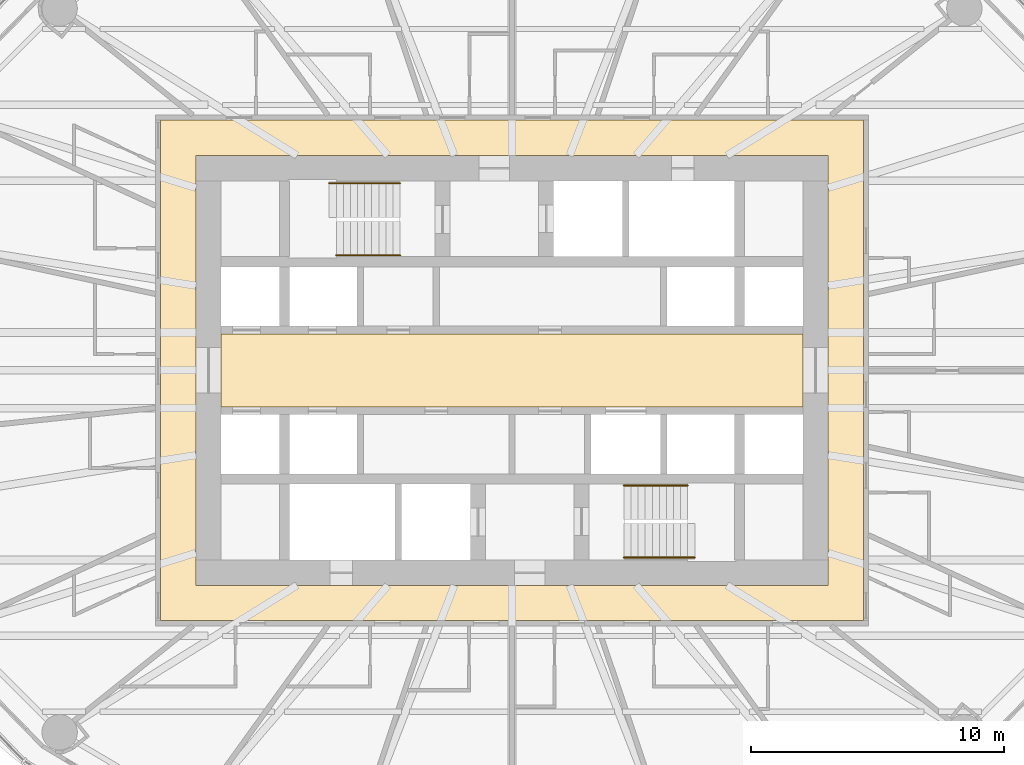
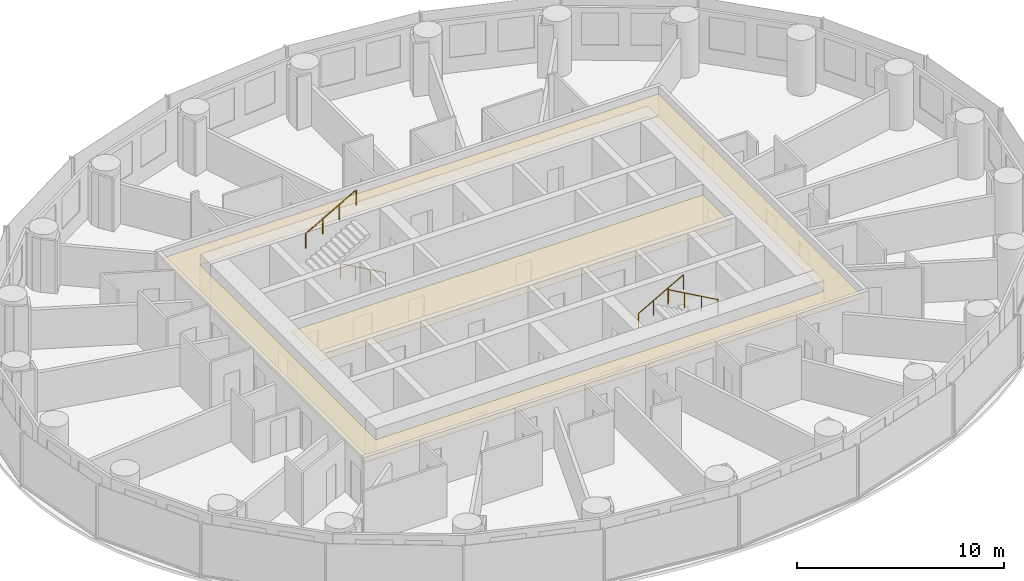
# One storey, part 14 of 14: 4 railings, 2 coverings.
"""IFC4 building model written with IfcOpenShell, lengths in metres."""

import ifcopenshell
import ifcopenshell.guid

model = None  # the IFC model being written
_history = None  # IfcOwnerHistory: only IFC2X3 demands one
_inside = {}  # id of a spatial element -> (the spatial element, [elements in it])
_under = {}  # id of a project, library or spatial element -> (it, [spatial elements below it])
_declared = {}  # id of a project -> (the project, [libraries it declares])
_typed = {}  # id of a type object -> (the type object, [elements of that type])
_made_of = {}  # id of a material, layer set ... -> (it, [elements and type objects made of it])


def new_model(schema):
    """Start an empty IFC model of exactly this schema.

    Asked for "IFC4X3", IfcOpenShell would pick the latest addendum, in which some entities
    have other attributes; the version numbers below select the first issue.
    IFC2X3 requires an IfcOwnerHistory on every rooted entity: one is made here for all.
    """
    global model, _history
    if schema == "IFC4X3":
        model = ifcopenshell.file(schema_version=(4, 3, 0, 0))
    else:
        model = ifcopenshell.file(schema=schema)
    _inside.clear()
    _under.clear()
    _declared.clear()
    _typed.clear()
    _made_of.clear()
    _history = None
    if model.schema == "IFC2X3":
        org = make("IfcOrganization", Name="unknown")
        user = make(
            "IfcPersonAndOrganization",
            ThePerson=make("IfcPerson", FamilyName="unknown"),
            TheOrganization=org,
        )
        app = make(
            "IfcApplication",
            ApplicationDeveloper=org,
            Version="unknown",
            ApplicationFullName="unknown",
            ApplicationIdentifier="unknown",
        )
        _history = make(
            "IfcOwnerHistory",
            OwningUser=user,
            OwningApplication=app,
            ChangeAction="ADDED",
            CreationDate=0,
        )
    return model


def make(cls, **values):
    """One entity of the class cls with the attributes given. An attribute that is None is left unset."""
    return model.create_entity(
        cls, **{name: value for name, value in values.items() if value is not None}
    )


def rooted(cls, **values):
    """An entity with a GlobalId (a new one), such as an element, a storey or a relation."""
    return make(cls, GlobalId=ifcopenshell.guid.new(), OwnerHistory=_history, **values)


def si_unit(unit_type, name, prefix=None):
    """IfcSIUnit, for example si_unit("LENGTHUNIT", "METRE", prefix="MILLI")."""
    return make("IfcSIUnit", UnitType=unit_type, Prefix=prefix, Name=name)


def assignment(units):
    """IfcUnitAssignment: the units of a project."""
    return None if units is None else make("IfcUnitAssignment", Units=units)


def point(xyz):
    """IfcCartesianPoint."""
    return None if xyz is None else make("IfcCartesianPoint", Coordinates=xyz)


def direction(xyz):
    """IfcDirection."""
    return None if xyz is None else make("IfcDirection", DirectionRatios=xyz)


def frame(location, z_axis=None, x_axis=None):
    """IfcAxis2Placement3D, a coordinate frame: its origin and axes. An axis left out is left unset."""
    return make(
        "IfcAxis2Placement3D",
        Location=point(location),
        Axis=direction(z_axis),
        RefDirection=direction(x_axis),
    )


def frame_2d(location, x_axis=None):
    """IfcAxis2Placement2D, a coordinate frame in the plane: its origin and x axis."""
    return make(
        "IfcAxis2Placement2D", Location=point(location), RefDirection=direction(x_axis)
    )


def origin():
    """The frame at (0, 0, 0) with its axes left unset."""
    return frame((0.0, 0.0, 0.0))


def origin_2d():
    """The frame at (0, 0) in the plane with its x axis left unset."""
    return frame_2d((0.0, 0.0))


def place(relative_to, where):
    """IfcLocalPlacement: puts the frame where relative to a parent placement (None: the world)."""
    return make(
        "IfcLocalPlacement", PlacementRelTo=relative_to, RelativePlacement=where
    )


def context(
    kind, dimensions, precision=None, world=None, true_north=None, identifier=None
):
    """IfcGeometricRepresentationContext, for example the 3D "Model" context."""
    return make(
        "IfcGeometricRepresentationContext",
        ContextIdentifier=identifier,
        ContextType=kind,
        CoordinateSpaceDimension=dimensions,
        Precision=precision,
        WorldCoordinateSystem=world,
        TrueNorth=true_north,
    )


def subcontext(parent, identifier, kind, view, scale=None):
    """IfcGeometricRepresentationSubContext, for example "Body" below "Model"."""
    return make(
        "IfcGeometricRepresentationSubContext",
        ContextIdentifier=identifier,
        ContextType=kind,
        ParentContext=parent,
        TargetScale=scale,
        TargetView=view,
    )


def project(units=None, contexts=None):
    """IfcProject with its units and contexts."""
    return rooted(
        "IfcProject",
        Name="project",
        RepresentationContexts=contexts,
        UnitsInContext=assignment(units),
    )


def spatial(cls, under=None, at=None, **own):
    """A site, building, storey or space (cls), placed at a placement, below another one or the project."""
    s = rooted(cls, ObjectPlacement=at, **own)
    if under is not None:
        _under.setdefault(under.id(), (under, []))[1].append(s)
    return s


def polyline(points):
    """IfcPolyline through the points."""
    return make("IfcPolyline", Points=[point(p) for p in points])


def profile(cls, at=None, kind="AREA", **sizes):
    """A parametric profile (cls). Its sizes go by their IFC names, for example OverallWidth=200.0."""
    return make(cls, ProfileType=kind, Position=at, **sizes)


def circle(**sizes):
    """IfcCircleProfileDef."""
    return profile("IfcCircleProfileDef", **sizes)


def outline(outer, holes=None, kind="AREA"):
    """IfcArbitraryClosedProfileDef: a profile drawn as a closed curve; with holes, ...WithVoids."""
    if holes is None:
        return make("IfcArbitraryClosedProfileDef", ProfileType=kind, OuterCurve=outer)
    return make(
        "IfcArbitraryProfileDefWithVoids",
        ProfileType=kind,
        OuterCurve=outer,
        InnerCurves=holes,
    )


def extrude(swept, where, along, depth):
    """IfcExtrudedAreaSolid: the profile swept, set in the frame where, extruded along a direction by depth."""
    return make(
        "IfcExtrudedAreaSolid",
        SweptArea=swept,
        Position=where,
        ExtrudedDirection=direction(along),
        Depth=depth,
    )


def shape(context_of_items, identifier, shape_type, items):
    """IfcShapeRepresentation: the items that make up one representation, for example the "Body"."""
    return make(
        "IfcShapeRepresentation",
        ContextOfItems=context_of_items,
        RepresentationIdentifier=identifier,
        RepresentationType=shape_type,
        Items=items,
    )


def material(Name=None, Category=None):
    """IfcMaterial."""
    return make("IfcMaterial", Name=Name, Category=Category)


def layer(
    of_material, thickness, ventilated=None, Name=None, Category=None, Priority=None
):
    """IfcMaterialLayer: one layer of a wall or slab, of a material (None: an air gap)."""
    return make(
        "IfcMaterialLayer",
        Material=of_material,
        LayerThickness=thickness,
        IsVentilated=ventilated,
        Name=Name,
        Category=Category,
        Priority=Priority,
    )


def layer_set(layers, Name=None):
    """IfcMaterialLayerSet."""
    return make("IfcMaterialLayerSet", MaterialLayers=layers, LayerSetName=Name)


def made_of(thing, what):
    """Note that an element or type object is made of a material, layer set ...; save() writes the relation."""
    if what is not None:
        _made_of.setdefault(what.id(), (what, []))[1].append(thing)
    return thing


def type_object(cls, material=None, **own):
    """A type object (cls), such as IfcWallType, which elements share."""
    return made_of(rooted(cls, **own), material)


def element(
    cls,
    number,
    at=None,
    inside=None,
    cuts=None,
    type_object=None,
    material=None,
    context=None,
    identifier="Body",
    shape_type=None,
    held_by="IfcProductDefinitionShape",
    body=None,
    shapes=None,
    **own,
):
    """One element of the class cls, such as IfcWall. Its Tag is "e" and its number.

    at: its placement. inside: the storey or other place that contains it. cuts: it is an
    opening in that element (IfcRelVoidsElement). A single representation is given by context,
    identifier, shape_type and body (its items); several are given by shapes. held_by: the class
    of the entity that holds the representations. save() writes the other relations.
    """
    e = rooted(cls, Tag="e%d" % number, ObjectPlacement=at, **own)
    if body is not None:
        shapes = [shape(context, identifier, shape_type, body)]
    if shapes is not None:
        e.Representation = make(held_by, Representations=shapes)
    if inside is not None:
        _inside.setdefault(inside.id(), (inside, []))[1].append(e)
    if cuts is not None:
        rooted(
            "IfcRelVoidsElement", RelatingBuildingElement=cuts, RelatedOpeningElement=e
        )
    if type_object is not None:
        _typed.setdefault(type_object.id(), (type_object, []))[1].append(e)
    return made_of(e, material)


def aggregate(whole, parts):
    """IfcRelAggregates: a whole, such as a stair, and the parts it consists of."""
    return rooted("IfcRelAggregates", RelatingObject=whole, RelatedObjects=parts)


def save(model, path):
    """Write the relations noted so far, then the file.

    IfcRelAggregates (storeys below a building ...), IfcRelContainedInSpatialStructure (elements
    in a storey), IfcRelDefinesByType, IfcRelAssociatesMaterial and IfcRelDeclares: one each for
    every whole, place, type object, material and project.
    """
    for whole, parts in _under.values():
        aggregate(whole, parts)
    for where, things in _inside.values():
        rooted(
            "IfcRelContainedInSpatialStructure",
            RelatedElements=things,
            RelatingStructure=where,
        )
    for kind, things in _typed.values():
        rooted("IfcRelDefinesByType", RelatedObjects=things, RelatingType=kind)
    for what, things in _made_of.values():
        rooted("IfcRelAssociatesMaterial", RelatedObjects=things, RelatingMaterial=what)
    for by, libraries in _declared.values():
        rooted("IfcRelDeclares", RelatingContext=by, RelatedDefinitions=libraries)
    model.write(path)


model = new_model("IFC4")

# Units and contexts
model_context = context("Model", 3, precision=1e-05, world=origin(), true_north=direction((0.0, 1.0)))
body_context = subcontext(model_context, "Body", "Model", "MODEL_VIEW")
ifc_project = project(units=[si_unit("LENGTHUNIT", "METRE"), si_unit("AREAUNIT", "SQUARE_METRE"), si_unit("VOLUMEUNIT", "CUBIC_METRE"), si_unit("PLANEANGLEUNIT", "RADIAN"), si_unit("MASSUNIT", "GRAM", prefix="KILO")], contexts=[model_context])

# Site, building, storey
site_placement = place(None, origin())
site = spatial("IfcSite", under=ifc_project, at=site_placement, CompositionType="ELEMENT")
building_placement = place(site_placement, origin())
building = spatial("IfcBuilding", under=site, at=building_placement, Name="Hankou Lantern Tower", CompositionType="ELEMENT")
storey_placement = place(building_placement, frame((0.0, 0.0, 63.89990234375)))
storey = spatial("IfcBuildingStorey", under=building, at=storey_placement, Name="L15", CompositionType="ELEMENT", Elevation=63.89990234375)

# Coverings
ifc_material_1 = material(Name="Black painted aluminium linear ceiling panels", Category="aluminium")
ifc_layer_1 = layer(ifc_material_1, 0.02490234375)
ifc_layer_set_1 = layer_set([ifc_layer_1], Name="Black painted aluminium linear ceiling panels")
covering_type_1 = type_object("IfcCoveringType", Name="CL1 CORRIDOR CEILING 25", PredefinedType="CEILING", material=ifc_layer_set_1)
covering_1_placement = place(storey_placement, frame((0.0, 0.0, 2.64501953125)))
element("IfcCovering", 1, at=covering_1_placement, inside=storey, type_object=covering_type_1, Name="Corridor ceiling L15", PredefinedType="CEILING", context=body_context, shape_type="SweptSolid", body=[
    extrude(outline(polyline([(-13.89990234375, -9.89990234375), (13.89990234375, -9.89990234375), (13.89990234375, 9.89990234375), (-13.89990234375, 9.89990234375), (-13.89990234375, -9.89990234375)]), holes=[polyline([(-12.5, 8.5), (12.5, 8.5), (12.5, -8.5), (-12.5, -8.5), (-12.5, 8.5)])]), origin(), (0.0, 0.0, 1.0), 0.025146484375),
])
ifc_material_2 = material(Name="Perforated black aluminium acoustic tray ceiling", Category="aluminium")
ifc_layer_2 = layer(ifc_material_2, 0.014892578125)
ifc_layer_set_2 = layer_set([ifc_layer_2], Name="Perforated black aluminium acoustic tray ceiling")
covering_type_2 = type_object("IfcCoveringType", Name="CL2 LIFT LOBBY CEILING 15", PredefinedType="CEILING", material=ifc_layer_set_2)
covering_2_placement = place(storey_placement, frame((0.0, 0.0, 2.655029296875)))
element("IfcCovering", 2, at=covering_2_placement, inside=storey, type_object=covering_type_2, Name="Lift lobby ceiling L15", PredefinedType="CEILING", context=body_context, shape_type="SweptSolid", body=[
    extrude(outline(polyline([(-11.5, -1.449951171875), (11.5, -1.449951171875), (11.5, 1.449951171875), (-11.5, 1.449951171875), (-11.5, -1.449951171875)])), origin(), (0.0, 0.0, 1.0), 0.01513671875),
])

# Railings
ifc_material_3 = material(Name="Steel handrail", Category="steel")
railing_type = type_object("IfcRailingType", Name="HR1 STAIR HANDRAIL", PredefinedType="HANDRAIL", material=ifc_material_3)
railing_1_placement = place(storey_placement, frame((-4.429931640625, 4.550048828125, 0.900146484375)))
element("IfcRailing", 3, at=railing_1_placement, inside=storey, type_object=railing_type, Name="Handrail stair STA L15 flight 1", PredefinedType="HANDRAIL", context=body_context, shape_type="SweptSolid", body=[
    extrude(circle(Radius=0.02392578125, at=origin_2d()), frame((0.0, 0.0, 0.8759765625), z_axis=(-0.872048945198, 0.0, 0.489418672692), x_axis=(0.0, -1.0, 0.0)), (0.0, 0.0, 1.0), 2.8896484375),
    extrude(circle(Radius=0.02099609375, at=origin_2d()), origin(), (0.0, 0.0, 1.0), 0.851806640625),
    extrude(circle(Radius=0.02099609375, at=origin_2d()), frame((-0.840087890625, 0.0, 0.471435546875)), (0.0, 0.0, 1.0), 0.851806640625),
    extrude(circle(Radius=0.02099609375, at=origin_2d()), frame((-1.679931640625, 0.0, 0.94287109375)), (0.0, 0.0, 1.0), 0.851806640625),
    extrude(circle(Radius=0.02099609375, at=origin_2d()), frame((-2.52001953125, 0.0, 1.414306640625)), (0.0, 0.0, 1.0), 0.851806640625),
])
railing_2_placement = place(storey_placement, frame((-7.22998046875, 7.39990234375, 2.471435546875)))
element("IfcRailing", 4, at=railing_2_placement, inside=storey, type_object=railing_type, Name="Handrail stair STA L15 flight 2", PredefinedType="HANDRAIL", context=body_context, shape_type="SweptSolid", body=[
    extrude(circle(Radius=0.02392578125, at=origin_2d()), frame((0.0, 0.0, 0.8759765625), z_axis=(0.872040151574, 0.0, 0.489434340891), x_axis=(0.0, 1.0, 0.0)), (0.0, 0.0, 1.0), 3.2109375),
    extrude(circle(Radius=0.02099609375, at=origin_2d()), origin(), (0.0, 0.0, 1.0), 0.851806640625),
    extrude(circle(Radius=0.02099609375, at=origin_2d()), frame((0.933349609375, 0.0, 0.52392578125)), (0.0, 0.0, 1.0), 0.851806640625),
    extrude(circle(Radius=0.02099609375, at=origin_2d()), frame((1.86669921875, 0.0, 1.047607421875)), (0.0, 0.0, 1.0), 0.851806640625),
    extrude(circle(Radius=0.02099609375, at=origin_2d()), frame((2.800048828125, 0.0, 1.571533203125)), (0.0, 0.0, 1.0), 0.851806640625),
])
railing_3_placement = place(storey_placement, frame((4.429931640625, -4.550048828125, 0.900146484375)))
element("IfcRailing", 5, at=railing_3_placement, inside=storey, type_object=railing_type, Name="Handrail stair STB L15 flight 1", PredefinedType="HANDRAIL", context=body_context, shape_type="SweptSolid", body=[
    extrude(circle(Radius=0.02392578125, at=origin_2d()), frame((0.0, 0.0, 0.8759765625), z_axis=(0.872048945198, 0.0, 0.489418672692), x_axis=(0.0, 1.0, 0.0)), (0.0, 0.0, 1.0), 2.8896484375),
    extrude(circle(Radius=0.02099609375, at=origin_2d()), origin(), (0.0, 0.0, 1.0), 0.851806640625),
    extrude(circle(Radius=0.02099609375, at=origin_2d()), frame((0.840087890625, 0.0, 0.471435546875)), (0.0, 0.0, 1.0), 0.851806640625),
    extrude(circle(Radius=0.02099609375, at=origin_2d()), frame((1.679931640625, 0.0, 0.94287109375)), (0.0, 0.0, 1.0), 0.851806640625),
    extrude(circle(Radius=0.02099609375, at=origin_2d()), frame((2.52001953125, 0.0, 1.414306640625)), (0.0, 0.0, 1.0), 0.851806640625),
])
railing_4_placement = place(storey_placement, frame((7.22998046875, -7.39990234375, 2.471435546875)))
element("IfcRailing", 6, at=railing_4_placement, inside=storey, type_object=railing_type, Name="Handrail stair STB L15 flight 2", PredefinedType="HANDRAIL", context=body_context, shape_type="SweptSolid", body=[
    extrude(circle(Radius=0.02392578125, at=origin_2d()), frame((0.0, 0.0, 0.8759765625), z_axis=(-0.872040151574, 0.0, 0.489434340891), x_axis=(0.0, -1.0, 0.0)), (0.0, 0.0, 1.0), 3.2109375),
    extrude(circle(Radius=0.02099609375, at=origin_2d()), origin(), (0.0, 0.0, 1.0), 0.851806640625),
    extrude(circle(Radius=0.02099609375, at=origin_2d()), frame((-0.933349609375, 0.0, 0.52392578125)), (0.0, 0.0, 1.0), 0.851806640625),
    extrude(circle(Radius=0.02099609375, at=origin_2d()), frame((-1.86669921875, 0.0, 1.047607421875)), (0.0, 0.0, 1.0), 0.851806640625),
    extrude(circle(Radius=0.02099609375, at=origin_2d()), frame((-2.800048828125, 0.0, 1.571533203125)), (0.0, 0.0, 1.0), 0.851806640625),
])

save(model, "model.ifc")
